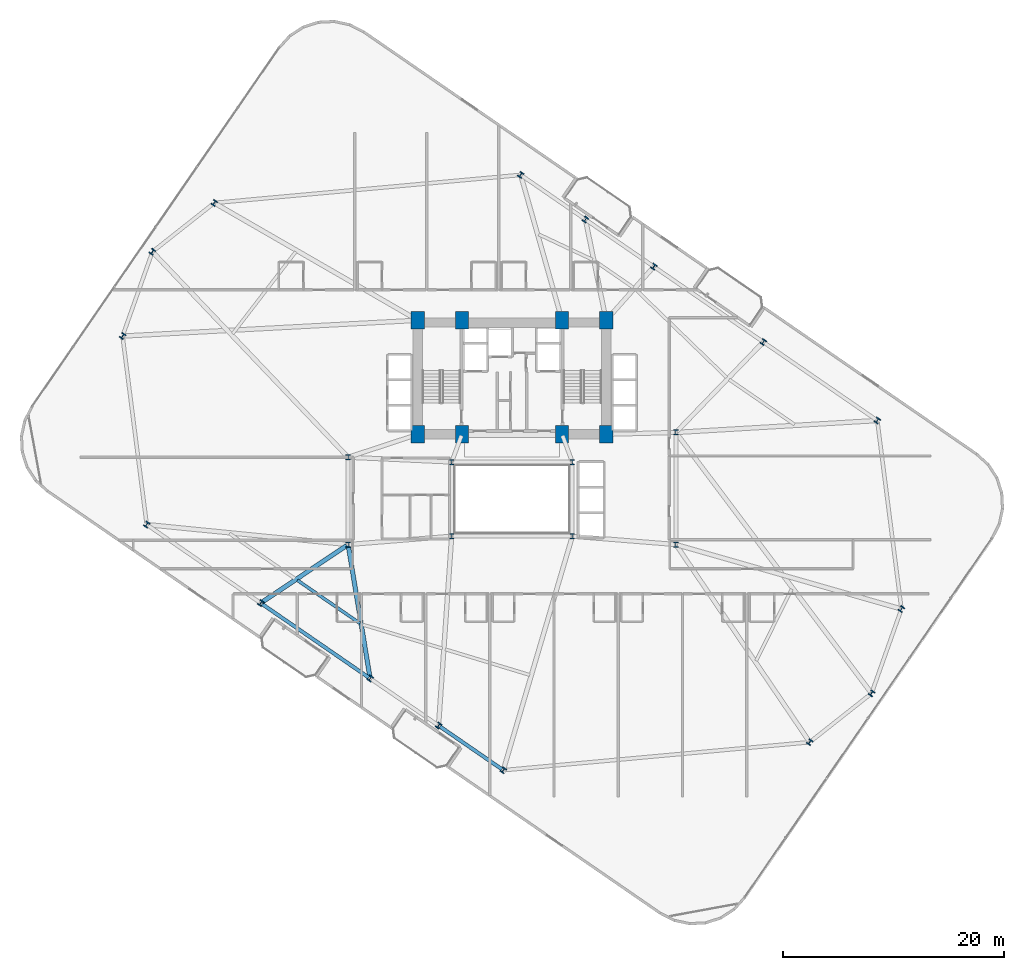
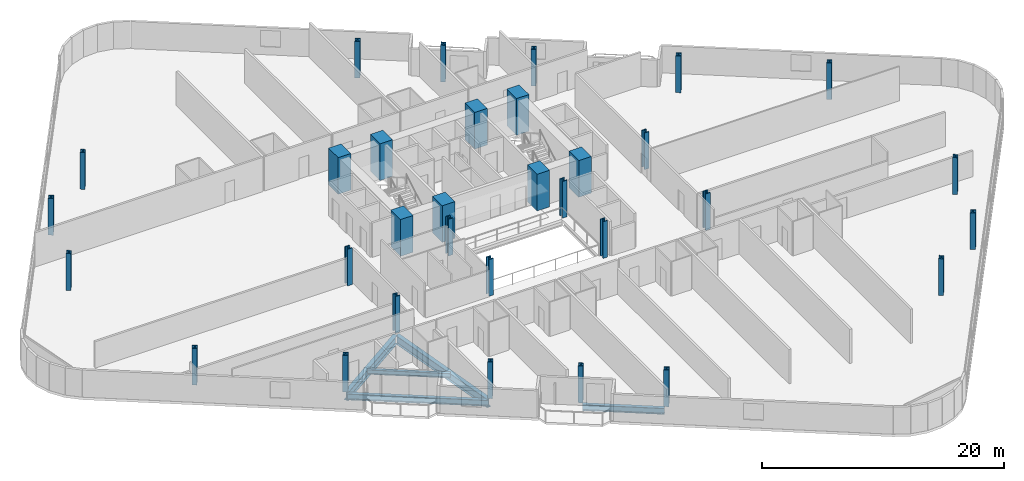
# One storey, part 1 of 27: 32 columns, 5 beams.
"""IFC4 building model written with IfcOpenShell, lengths in metres."""

from ifc_helpers import new_model, si_unit, direction, frame, origin, origin_2d, place, context, subcontext, project, spatial, rectangle, i_section, extrude, material, material_profile, profile_set, type_object, element, save


model = new_model("IFC4")

# Units and contexts
model_context = context("Model", 3, precision=1e-05, world=origin(), true_north=direction((0.0, 1.0)))
body_context = subcontext(model_context, "Body", "Model", "MODEL_VIEW")
ifc_project = project(units=[si_unit("LENGTHUNIT", "METRE"), si_unit("AREAUNIT", "SQUARE_METRE"), si_unit("VOLUMEUNIT", "CUBIC_METRE"), si_unit("PLANEANGLEUNIT", "RADIAN"), si_unit("MASSUNIT", "GRAM", prefix="KILO")], contexts=[model_context])

# Site, building, storey
site_placement = place(None, origin())
site = spatial("IfcSite", under=ifc_project, at=site_placement, CompositionType="ELEMENT")
building_placement = place(site_placement, origin())
building = spatial("IfcBuilding", under=site, at=building_placement, Name="Varnelok Gate Tower", CompositionType="ELEMENT")
storey_placement = place(building_placement, frame((0.0, 0.0, 60.300048828125)))
storey = spatial("IfcBuildingStorey", under=building, at=storey_placement, Name="L14", CompositionType="ELEMENT", Elevation=60.300048828125)

# Columns
ifc_material_1 = material(Name="Concrete C70/85", Category="concrete")
ifc_material_profile_1 = material_profile(ifc_material_1, rectangle(XDim=1.199951171875, YDim=1.60009765625, at=origin_2d()), Name="RC1600X1200")
ifc_profile_set_1 = profile_set([ifc_material_profile_1], Name="Concrete C70/85")
column_type_1 = type_object("IfcColumnType", Name="COL-RC1600X1200", PredefinedType="COLUMN", material=ifc_profile_set_1)
for number, where, z_axis, x_axis, name in (
    (1, (30.699951171875, 28.75, 0.0), (0.0, 0.0, 1.0), (1.0, 0.0, 0.0), "L14 Core Spine Column SC1"),
    (2, (34.679931640625, 28.75, 0.0), (0.0, 0.0, 1.0), (1.0, 0.0, 0.0), "L14 Core Spine Column SC2"),
    (3, (43.719970703125, 28.75, 0.0), (0.0, 0.0, 1.0), (1.0, 0.0, 0.0), "L14 Core Spine Column SC3"),
    (4, (47.699951171875, 28.75, 0.0), (0.0, 0.0, 1.0), (1.0, 0.0, 0.0), "L14 Core Spine Column SC4"),
    (5, (30.699951171875, 39.050048828125, 0.0), (0.0, 0.0, 1.0), (1.0, 0.0, 0.0), "L14 Core Spine Column SC5"),
    (6, (34.679931640625, 39.050048828125, 0.0), (0.0, 0.0, 1.0), (1.0, 0.0, 0.0), "L14 Core Spine Column SC6"),
    (7, (43.719970703125, 39.050048828125, 0.0), (0.0, 0.0, 1.0), (1.0, 0.0, 0.0), "L14 Core Spine Column SC7"),
    (8, (47.699951171875, 39.050048828125, 0.0), (0.0, 0.0, 1.0), (1.0, 0.0, 0.0), "L14 Core Spine Column SC8"),
):
    element("IfcColumn", number, at=place(storey_placement, frame(where, z_axis=z_axis, x_axis=x_axis)), inside=storey, type_object=column_type_1, Name=name, PredefinedType="COLUMN", context=body_context, shape_type="SweptSolid", body=[
        extrude(rectangle(XDim=1.199951171875, YDim=1.60009765625, at=origin_2d()), origin(), (0.0, 0.0, 1.0), 3.699951171875),
    ])
ifc_material_2 = material(Name="Structural Steel ASTM A992 Grade 50", Category="steel")
ifc_material_profile_2 = material_profile(ifc_material_2, i_section(OverallWidth=0.431884765625, OverallDepth=0.498046875, WebThickness=0.0556640625, FlangeThickness=0.0888671875, FilletRadius=0.02490234375, at=origin_2d()), Name="W14X500")
ifc_profile_set_2 = profile_set([ifc_material_profile_2], Name="Structural Steel ASTM A992 Grade 50")
column_type_2 = type_object("IfcColumnType", Name="COL-W14X500", PredefinedType="COLUMN", material=ifc_profile_set_2)
for number, where, z_axis, x_axis, name in (
    (9, (33.75, 19.550048828125, 0.0), (0.0, 0.0, 1.0), (1.0, 0.0, 0.0), "L14 Atrium Spine Column AC1"),
    (10, (44.64990234375, 19.550048828125, 0.0), (0.0, 0.0, 1.0), (1.0, 0.0, 0.0), "L14 Atrium Spine Column AC2"),
    (11, (33.75, 26.25, 0.0), (0.0, 0.0, 1.0), (1.0, 0.0, 0.0), "L14 Atrium Spine Column AC3"),
    (12, (44.64990234375, 26.25, 0.0), (0.0, 0.0, 1.0), (1.0, 0.0, 0.0), "L14 Atrium Spine Column AC4"),
    (13, (24.39990234375, 18.800048828125, 0.0), (0.0, 0.0, 1.0), (1.0, 0.0, 0.0), "L14 Wing Spine Column WS1"),
    (14, (24.39990234375, 26.679931640625, 0.0), (0.0, 0.0, 1.0), (1.0, 0.0, 0.0), "L14 Wing Spine Column WS2"),
    (15, (54.0, 18.800048828125, 0.0), (0.0, 0.0, 1.0), (1.0, 0.0, 0.0), "L14 Wing Spine Column ES1"),
    (16, (54.0, 28.919921875, 0.0), (0.0, 0.0, 1.0), (1.0, 0.0, 0.0), "L14 Wing Spine Column ES2"),
    (17, (6.214599609375, 20.602783203125, 0.0), (0.0, 0.0, 1.0), (0.823532597628, -0.567268949127, 0.0), "L14 B1 Perimeter Column PC01"),
    (18, (16.5087890625, 13.511962890625, 0.0), (0.0, 0.0, 1.0), (0.823532597628, -0.567268949127, 0.0), "L14 B1 Perimeter Column PC02"),
    (19, (26.39111328125, 6.70458984375, 0.0), (0.0, 0.0, 1.0), (0.823532597628, -0.567268949127, 0.0), "L14 B1 Perimeter Column PC03"),
    (20, (32.567626953125, 2.4501953125, 0.0), (0.0, 0.0, 1.0), (0.823532597628, -0.567268949127, 0.0), "L14 B1 Perimeter Column PC04"),
    (21, (38.41455078125, -1.577392578125, 0.0), (0.0, 0.0, 1.0), (0.823532597628, -0.567268949127, 0.0), "L14 B1 Perimeter Column PC05"),
    (22, (66.084716796875, 0.95263671875, 0.0), (0.0, 0.0, 1.0), (0.823532597628, -0.567268949127, 0.0), "L14 B1 Perimeter Column PC06"),
    (23, (71.669921875, 5.362548828125, 0.0), (0.0, 0.0, 1.0), (0.823532597628, -0.567268949127, 0.0), "L14 B1 Perimeter Column PC07"),
    (24, (74.366943359375, 12.976318359375, 0.0), (0.0, 0.0, 1.0), (0.823532597628, -0.567268949127, 0.0), "L14 B1 Perimeter Column PC08"),
    (25, (72.185546875, 29.997314453125, 0.0), (0.0, 0.0, 1.0), (0.823532597628, -0.567268949127, 0.0), "L14 B1 Perimeter Column PC09"),
    (26, (61.891357421875, 37.088134765625, 0.0), (0.0, 0.0, 1.0), (0.823532597628, -0.567268949127, 0.0), "L14 B1 Perimeter Column PC10"),
    (27, (52.0087890625, 43.8955078125, 0.0), (0.0, 0.0, 1.0), (0.823532597628, -0.567268949127, 0.0), "L14 B1 Perimeter Column PC11"),
    (28, (45.83251953125, 48.14990234375, 0.0), (0.0, 0.0, 1.0), (0.823532597628, -0.567268949127, 0.0), "L14 B1 Perimeter Column PC12"),
    (29, (39.9853515625, 52.177490234375, 0.0), (0.0, 0.0, 1.0), (0.823532597628, -0.567268949127, 0.0), "L14 B1 Perimeter Column PC13"),
    (30, (12.315185546875, 49.6474609375, 0.0), (0.0, 0.0, 1.0), (0.823532597628, -0.567268949127, 0.0), "L14 B1 Perimeter Column PC14"),
    (31, (6.72998046875, 45.237548828125, 0.0), (0.0, 0.0, 1.0), (0.823532597628, -0.567268949127, 0.0), "L14 B1 Perimeter Column PC15"),
    (32, (4.033203125, 37.623779296875, 0.0), (0.0, 0.0, 1.0), (0.823532597628, -0.567268949127, 0.0), "L14 B1 Perimeter Column PC16"),
):
    element("IfcColumn", number, at=place(storey_placement, frame(where, z_axis=z_axis, x_axis=x_axis)), inside=storey, type_object=column_type_2, Name=name, PredefinedType="COLUMN", context=body_context, shape_type="SweptSolid", body=[
        extrude(i_section(OverallWidth=0.431884765625, OverallDepth=0.498046875, WebThickness=0.0556640625, FlangeThickness=0.0888671875, FilletRadius=0.02490234375, at=origin_2d()), origin(), (0.0, 0.0, 1.0), 3.699951171875),
    ])

# Beams
ifc_material_profile_3 = material_profile(ifc_material_2, i_section(OverallWidth=0.280029296875, OverallDepth=0.462890625, WebThickness=0.0107421875, FlangeThickness=0.017333984375, FilletRadius=0.014892578125, at=origin_2d()), Name="W18X76")
ifc_profile_set_3 = profile_set([ifc_material_profile_3], Name="Structural Steel ASTM A992 Grade 50")
beam_type_1 = type_object("IfcBeamType", Name="BM-JST-W18X76", PredefinedType="JOIST", material=ifc_profile_set_3)
beam_1_placement = place(storey_placement, frame((19.820068359375, 15.57421875, -0.4814453125), z_axis=(0.823522379693, -0.567283782727, 0.0), x_axis=(0.567283782727, 0.823522379693, 0.0)))
element("IfcBeam", 33, at=beam_1_placement, inside=storey, type_object=beam_type_1, Name="L14 Sector Floor Joist 2", PredefinedType="JOIST", context=body_context, shape_type="SweptSolid", body=[
    extrude(i_section(OverallWidth=0.280029296875, OverallDepth=0.462890625, WebThickness=0.0107421875, FlangeThickness=0.017333984375, FilletRadius=0.014892578125, at=origin_2d()), origin(), (0.0, 0.0, 1.0), 6.860107421875),
])
ifc_material_profile_4 = material_profile(ifc_material_2, i_section(OverallWidth=0.39892578125, OverallDepth=0.85498046875, WebThickness=0.018310546875, FlangeThickness=0.029296875, FilletRadius=0.02392578125, at=origin_2d()), Name="W33X201")
ifc_profile_set_4 = profile_set([ifc_material_profile_4], Name="Structural Steel ASTM A992 Grade 50")
beam_type_2 = type_object("IfcBeamType", Name="BM-PRI-W33X201", PredefinedType="BEAM", material=ifc_profile_set_4)
beam_2_placement = place(storey_placement, frame((24.275390625, 18.716552734375, -0.677490234375), z_axis=(-0.830725059098, -0.556682922485, 0.0), x_axis=(0.556682922485, -0.830725059098, 0.0)))
element("IfcBeam", 34, at=beam_2_placement, inside=storey, type_object=beam_type_2, Name="L14 Radial Floor Girder 2", PredefinedType="BEAM", context=body_context, shape_type="SweptSolid", body=[
    extrude(i_section(OverallWidth=0.39892578125, OverallDepth=0.85498046875, WebThickness=0.018310546875, FlangeThickness=0.029296875, FilletRadius=0.02392578125, at=origin_2d()), origin(), (0.0, 0.0, 1.0), 9.19921875),
])
beam_3_placement = place(storey_placement, frame((24.42431640625, 18.652099609375, -0.677490234375), z_axis=(0.162428802214, -0.986720266444, 0.0), x_axis=(0.986720266444, 0.162428802214, 0.0)))
element("IfcBeam", 35, at=beam_3_placement, inside=storey, type_object=beam_type_2, Name="L14 Radial Floor Girder 3", PredefinedType="BEAM", context=body_context, shape_type="SweptSolid", body=[
    extrude(i_section(OverallWidth=0.39892578125, OverallDepth=0.85498046875, WebThickness=0.018310546875, FlangeThickness=0.029296875, FilletRadius=0.02392578125, at=origin_2d()), origin(), (0.0, 0.0, 1.0), 11.958251953125),
])
ifc_material_profile_5 = material_profile(ifc_material_2, i_section(OverallWidth=0.323974609375, OverallDepth=0.611083984375, WebThickness=0.0126953125, FlangeThickness=0.01904296875, FilletRadius=0.01806640625, at=origin_2d()), Name="W24X104")
ifc_profile_set_5 = profile_set([ifc_material_profile_5], Name="Structural Steel ASTM A992 Grade 50")
beam_type_3 = type_object("IfcBeamType", Name="BM-SPN-W24X104", PredefinedType="SPANDREL", material=ifc_profile_set_5)
beam_4_placement = place(storey_placement, frame((16.632080078125, 13.4267578125, -0.5556640625), z_axis=(0.823540527698, -0.567257436478, 0.0), x_axis=(0.567257436478, 0.823540527698, 0.0)))
element("IfcBeam", 36, at=beam_4_placement, inside=storey, type_object=beam_type_3, Name="L14 Perimeter Spandrel Beam 2", PredefinedType="SPANDREL", context=body_context, shape_type="SweptSolid", body=[
    extrude(i_section(OverallWidth=0.323974609375, OverallDepth=0.611083984375, WebThickness=0.0126953125, FlangeThickness=0.01904296875, FilletRadius=0.01806640625, at=origin_2d()), origin(), (0.0, 0.0, 1.0), 11.7001953125),
])
beam_5_placement = place(storey_placement, frame((32.691162109375, 2.364990234375, -0.5556640625), z_axis=(0.823525119645, -0.567279805135, 0.0), x_axis=(0.567279805135, 0.823525119645, 0.0)))
element("IfcBeam", 37, at=beam_5_placement, inside=storey, type_object=beam_type_3, Name="L14 Perimeter Spandrel Beam 4", PredefinedType="SPANDREL", context=body_context, shape_type="SweptSolid", body=[
    extrude(i_section(OverallWidth=0.323974609375, OverallDepth=0.611083984375, WebThickness=0.0126953125, FlangeThickness=0.01904296875, FilletRadius=0.01806640625, at=origin_2d()), origin(), (0.0, 0.0, 1.0), 6.7998046875),
])

save(model, "model.ifc")
